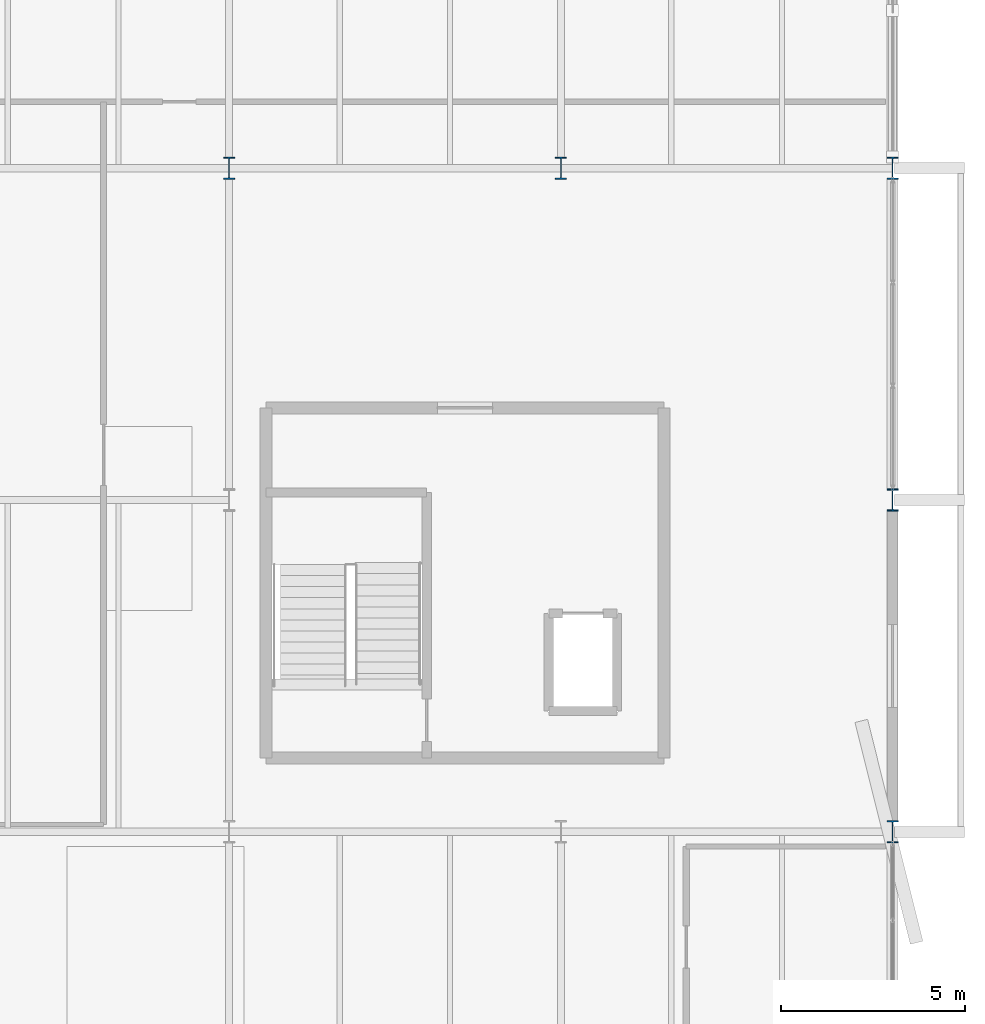
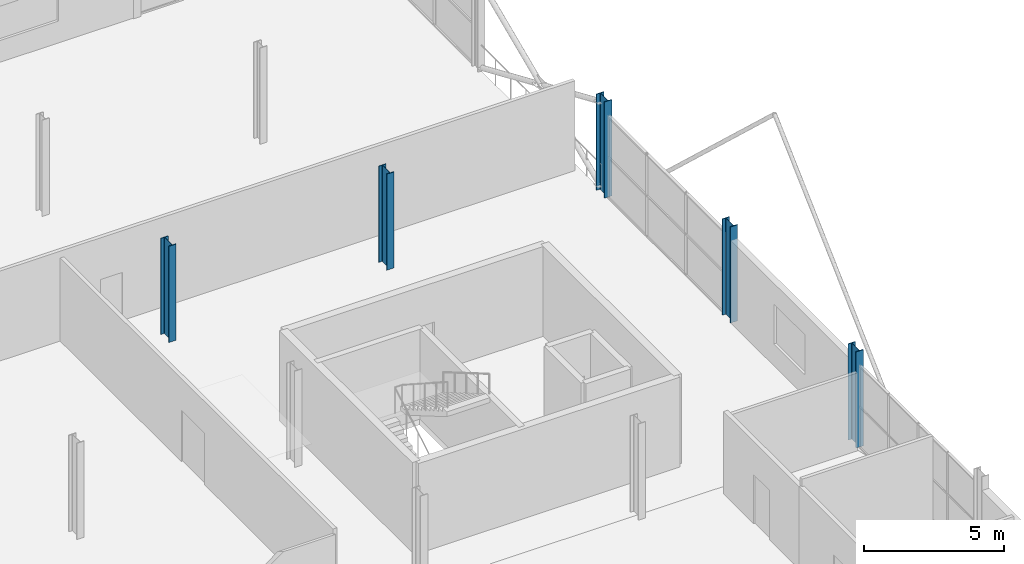
# One storey, part 13 of 103: 5 columns.
"""IFC4 building model written with IfcOpenShell, lengths in metres."""

from ifc_helpers import new_model, si_unit, direction, frame, origin, origin_2d, place, context, subcontext, project, spatial, i_section, extrude, material, material_profile, profile_set, type_object, element, save


model = new_model("IFC4")

# Units and contexts
model_context = context("Model", 3, precision=1e-05, world=origin(), true_north=direction((0.0, 1.0)))
body_context = subcontext(model_context, "Body", "Model", "MODEL_VIEW")
ifc_project = project(units=[si_unit("LENGTHUNIT", "METRE"), si_unit("AREAUNIT", "SQUARE_METRE"), si_unit("VOLUMEUNIT", "CUBIC_METRE"), si_unit("PLANEANGLEUNIT", "RADIAN"), si_unit("MASSUNIT", "GRAM", prefix="KILO")], contexts=[model_context])

# Site, building, storey
site_placement = place(None, origin())
site = spatial("IfcSite", under=ifc_project, at=site_placement, CompositionType="ELEMENT")
building_placement = place(site_placement, origin())
building = spatial("IfcBuilding", under=site, at=building_placement, Name="Deido Ridge Mobility Hub", CompositionType="ELEMENT")
storey_placement = place(building_placement, frame((0.0, 0.0, 12.60009765625)))
storey = spatial("IfcBuildingStorey", under=building, at=storey_placement, Name="L03", CompositionType="ELEMENT", Elevation=12.60009765625)

# Columns
ifc_material = material(Name="Steel S355J2 EN 10025-2", Category="steel")
ifc_material_profile = material_profile(ifc_material, i_section(OverallWidth=0.300048828125, OverallDepth=0.60009765625, WebThickness=0.015380859375, FlangeThickness=0.030029296875, FilletRadius=0.027099609375, at=origin_2d()), Name="HEB 600")
ifc_profile_set = profile_set([ifc_material_profile], Name="Steel S355J2 EN 10025-2")
column_type = type_object("IfcColumnType", Name="COL-HEB600", PredefinedType="COLUMN", material=ifc_profile_set)
for number, where, z_axis, x_axis, name in (
    (1, (180.0, 36.0, 0.0), (0.0, 0.0, 1.0), (1.0, 0.0, 0.0), "Structural column C4"),
    (2, (180.0, 45.0, 0.0), (0.0, 0.0, 1.0), (1.0, 0.0, 0.0), "Structural column C4"),
    (3, (162.0, 54.0, 0.0), (0.0, 0.0, 1.0), (1.0, 0.0, 0.0), "Structural column C4"),
    (4, (171.0, 54.0, 0.0), (0.0, 0.0, 1.0), (1.0, 0.0, 0.0), "Structural column C4"),
    (5, (180.0, 54.0, 0.0), (0.0, 0.0, 1.0), (1.0, 0.0, 0.0), "Structural column C4"),
):
    element("IfcColumn", number, at=place(storey_placement, frame(where, z_axis=z_axis, x_axis=x_axis)), inside=storey, type_object=column_type, Name=name, PredefinedType="COLUMN", context=body_context, shape_type="SweptSolid", body=[
        extrude(i_section(OverallWidth=0.300048828125, OverallDepth=0.60009765625, WebThickness=0.015380859375, FlangeThickness=0.030029296875, FilletRadius=0.027099609375, at=origin_2d()), origin(), (0.0, 0.0, 1.0), 4.199951171875),
    ])

save(model, "model.ifc")
